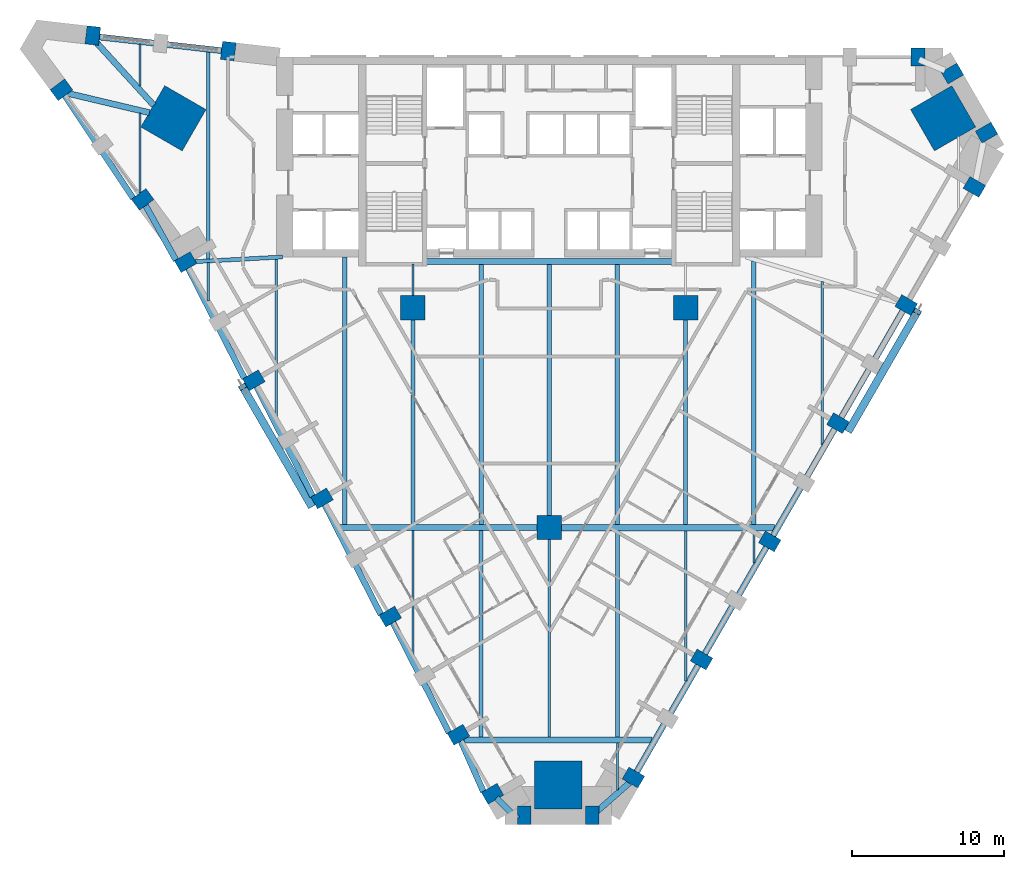
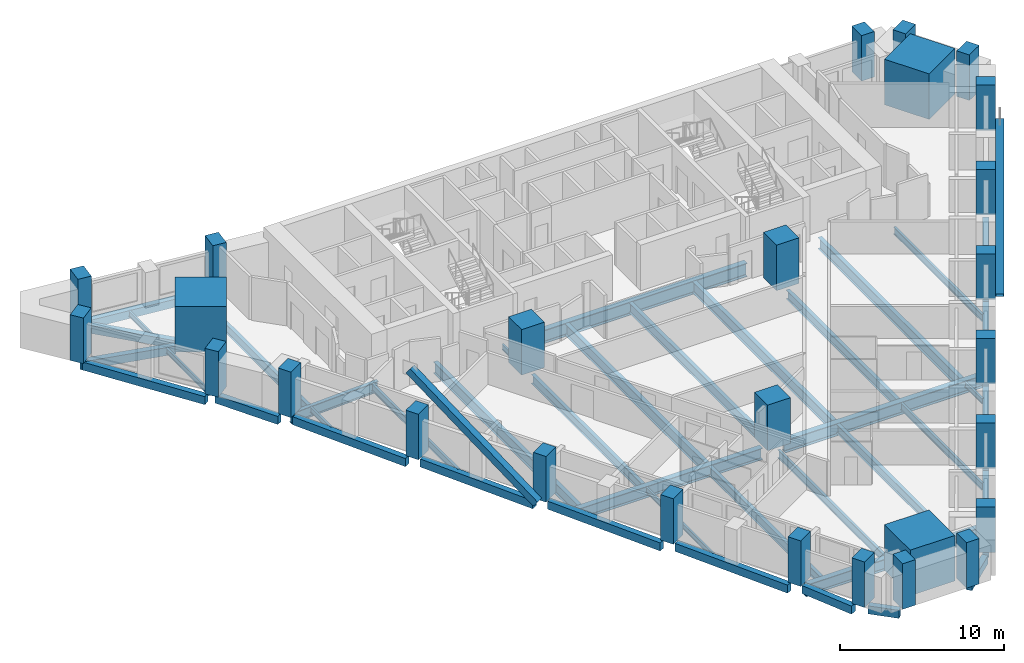
# One storey, part 1 of 10: 42 beams, 27 columns, 2 members.
"""IFC4 building model written with IfcOpenShell, lengths in metres."""

from ifc_helpers import new_model, si_unit, direction, frame, origin, origin_2d, place, context, subcontext, project, spatial, rectangle, hollow_rectangle, i_section, extrude, material, material_profile, profile_set, type_object, element, save


model = new_model("IFC4")

# Units and contexts
model_context = context("Model", 3, precision=1e-05, world=origin(), true_north=direction((0.0, 1.0)))
body_context = subcontext(model_context, "Body", "Model", "MODEL_VIEW")
ifc_project = project(units=[si_unit("LENGTHUNIT", "METRE"), si_unit("AREAUNIT", "SQUARE_METRE"), si_unit("VOLUMEUNIT", "CUBIC_METRE"), si_unit("PLANEANGLEUNIT", "RADIAN"), si_unit("MASSUNIT", "GRAM", prefix="KILO")], contexts=[model_context])

# Site, building, storey
site_placement = place(None, origin())
site = spatial("IfcSite", under=ifc_project, at=site_placement, CompositionType="ELEMENT")
building_placement = place(site_placement, origin())
building = spatial("IfcBuilding", under=site, at=building_placement, Name="Calabash Gate Tower", CompositionType="ELEMENT")
storey_placement = place(building_placement, frame((0.0, 0.0, 66.39990234375)))
storey = spatial("IfcBuildingStorey", under=building, at=storey_placement, Name="L12", CompositionType="ELEMENT", Elevation=66.39990234375)

# Columns
ifc_material_1 = material(Name="Concrete C80/95", Category="concrete")
ifc_material_profile_1 = material_profile(ifc_material_1, rectangle(XDim=1.60009765625, YDim=1.60009765625, at=origin_2d()))
ifc_profile_set_1 = profile_set([ifc_material_profile_1], Name="Concrete C80/95")
column_type_1 = type_object("IfcColumnType", Name="Interior column RC 1600x1600 Concrete C80/95", PredefinedType="COLUMN", material=ifc_profile_set_1)
for number, where, z_axis, x_axis, name in (
    (1, (-9.0, 2.5, 0.0), (0.0, 0.0, 1.0), (1.0, 0.0, 0.0), "Interior column L12 I0"),
    (2, (9.0, 2.5, 0.0), (0.0, 0.0, 1.0), (1.0, 0.0, 0.0), "Interior column L12 I1"),
    (3, (0.0, -12.0, 0.0), (0.0, 0.0, 1.0), (1.0, 0.0, 0.0), "Interior column L12 I2"),
):
    element("IfcColumn", number, at=place(storey_placement, frame(where, z_axis=z_axis, x_axis=x_axis)), inside=storey, type_object=column_type_1, Name=name, PredefinedType="COLUMN", context=body_context, shape_type="SweptSolid", body=[
        extrude(rectangle(XDim=1.60009765625, YDim=1.60009765625, at=origin_2d()), origin(), (0.0, 0.0, 1.0), 3.400146484375),
    ])
ifc_material_2 = material(Name="Concrete C80/95", Category="concrete")
ifc_material_profile_2 = material_profile(ifc_material_2, rectangle(XDim=3.14990234375, YDim=3.14990234375, at=origin_2d()))
ifc_profile_set_2 = profile_set([ifc_material_profile_2], Name="Concrete C80/95")
column_type_2 = type_object("IfcColumnType", Name="Mega column RC 3150x3150 Concrete C80/95", PredefinedType="COLUMN", material=ifc_profile_set_2)
for number, where, z_axis, x_axis, name in (
    (4, (-24.79296875, 15.00390625, 0.0), (0.0, 0.0, 1.0), (0.866025412511, -0.499999984885, 0.0), "Mega column L12 NW"),
    (5, (25.988037109375, 15.00390625, 0.0), (0.0, 0.0, 1.0), (-0.866025412511, -0.499999984885, 0.0), "Mega column L12 NE"),
    (6, (0.596923828125, -28.972900390625, 0.0), (0.0, 0.0, 1.0), (0.0, 1.0, 0.0), "Mega column L12 S"),
):
    element("IfcColumn", number, at=place(storey_placement, frame(where, z_axis=z_axis, x_axis=x_axis)), inside=storey, type_object=column_type_2, Name=name, PredefinedType="COLUMN", context=body_context, shape_type="SweptSolid", body=[
        extrude(rectangle(XDim=3.14990234375, YDim=3.14990234375, at=origin_2d()), origin(), (0.0, 0.0, 1.0), 3.400146484375),
    ])
ifc_material_3 = material(Name="Concrete C70/85", Category="concrete")
ifc_material_profile_3 = material_profile(ifc_material_3, rectangle(XDim=0.89990234375, YDim=1.199951171875, at=origin_2d()))
ifc_profile_set_3 = profile_set([ifc_material_profile_3], Name="Concrete C70/85")
column_type_3 = type_object("IfcColumnType", Name="Perimeter column RC 900x1200 Concrete C70/85", PredefinedType="COLUMN", material=ifc_profile_set_3)
for number, where, z_axis, x_axis, name in (
    (7, (-23.989013671875, 5.512939453125, 0.0), (0.0, 0.0, 1.0), (0.5, -0.866025403784, 0.0), "Perimeter column L12 P00"),
    (8, (-19.489013671875, -2.281982421875, 0.0), (0.0, 0.0, 1.0), (0.5, -0.866025403784, 0.0), "Perimeter column L12 P01"),
    (9, (-14.989013671875, -10.075927734375, 0.0), (0.0, 0.0, 1.0), (0.5, -0.866025403784, 0.0), "Perimeter column L12 P02"),
    (10, (-10.489013671875, -17.8701171875, 0.0), (0.0, 0.0, 1.0), (0.5, -0.866025403784, 0.0), "Perimeter column L12 P03"),
    (11, (-5.989013671875, -25.6640625, 0.0), (0.0, 0.0, 1.0), (0.5, -0.866025403784, 0.0), "Perimeter column L12 P04"),
    (12, (-3.739013671875, -29.56103515625, 0.0), (0.0, 0.0, 1.0), (0.5, -0.866025403784, 0.0), "Perimeter column L12 P05"),
    (13, (-1.653076171875, -30.97705078125, 0.0), (0.0, 0.0, 1.0), (1.0, 0.0, 0.0), "Perimeter column L12 P06"),
    (14, (2.846923828125, -30.97705078125, 0.0), (0.0, 0.0, 1.0), (1.0, 0.0, 0.0), "Perimeter column L12 P07"),
    (15, (5.548095703125, -28.492919921875, 0.0), (0.0, 0.0, 1.0), (0.5, 0.866025403784, 0.0), "Perimeter column L12 P08"),
    (16, (10.048095703125, -20.700927734375, 0.0), (0.0, 0.0, 1.0), (0.5, 0.866025403784, 0.0), "Perimeter column L12 P09"),
    (17, (14.548095703125, -12.906982421875, 0.0), (0.0, 0.0, 1.0), (0.5, 0.866025403784, 0.0), "Perimeter column L12 P10"),
    (18, (19.048095703125, -5.112060546875, 0.0), (0.0, 0.0, 1.0), (0.5, 0.866025403784, 0.0), "Perimeter column L12 P11"),
    (19, (23.548095703125, 2.681884765625, 0.0), (0.0, 0.0, 1.0), (0.5, 0.866025403784, 0.0), "Perimeter column L12 P12"),
    (20, (28.048095703125, 10.47607421875, 0.0), (0.0, 0.0, 1.0), (0.5, 0.866025403784, 0.0), "Perimeter column L12 P13"),
    (21, (28.846923828125, 14.056884765625, 0.0), (0.0, 0.0, 1.0), (-0.5, 0.866025403784, 0.0), "Perimeter column L12 P14"),
    (22, (26.596923828125, 17.9541015625, 0.0), (0.0, 0.0, 1.0), (-0.5, 0.866025403784, 0.0), "Perimeter column L12 P15"),
    (23, (24.327880859375, 19.052978515625, 0.0), (0.0, 0.0, 1.0), (-1.0, 0.0, 0.0), "Perimeter column L12 P16"),
    (24, (-21.174072265625, 19.43798828125, 0.0), (0.0, 0.0, 1.0), (-0.993506319736, 0.113776942504, 0.0), "Perimeter column L12 P17"),
    (25, (-30.113037109375, 20.4619140625, 0.0), (0.0, 0.0, 1.0), (-0.993506319736, 0.113776942504, 0.0), "Perimeter column L12 P18"),
    (26, (-32.181884765625, 16.883056640625, 0.0), (0.0, 0.0, 1.0), (0.595286896465, -0.80351323007, 0.0), "Perimeter column L12 P19"),
    (27, (-26.823974609375, 9.65087890625, 0.0), (0.0, 0.0, 1.0), (0.595286896465, -0.80351323007, 0.0), "Perimeter column L12 P20"),
):
    element("IfcColumn", number, at=place(storey_placement, frame(where, z_axis=z_axis, x_axis=x_axis)), inside=storey, type_object=column_type_3, Name=name, PredefinedType="COLUMN", context=body_context, shape_type="SweptSolid", body=[
        extrude(rectangle(XDim=0.89990234375, YDim=1.199951171875, at=origin_2d()), origin(), (0.0, 0.0, 1.0), 3.400146484375),
    ])

# Beams
ifc_material_4 = material(Name="Concrete C60/75", Category="concrete")
ifc_material_profile_4 = material_profile(ifc_material_4, rectangle(XDim=0.39990234375, YDim=0.60009765625, at=origin_2d()))
ifc_profile_set_4 = profile_set([ifc_material_profile_4], Name="Concrete C60/75")
beam_type_1 = type_object("IfcBeamType", Name="Edge beam RC 400x600 Concrete C60/75", PredefinedType="BEAM", material=ifc_profile_set_4)
for number, where, z_axis, x_axis, name in (
    (28, (-19.343994140625, -2.623046875, -0.469970703125), (0.454454932148, -0.890769731551, 0.0), (0.890769731551, 0.454454932148, 0.0), "Edge beam L12 1"),
    (29, (-14.843994140625, -10.4169921875, -0.469970703125), (0.454454932148, -0.890769731551, 0.0), (0.890769731551, 0.454454932148, 0.0), "Edge beam L12 2"),
    (30, (-10.343994140625, -18.2109375, -0.469970703125), (0.454454932148, -0.890769731551, 0.0), (0.890769731551, 0.454454932148, 0.0), "Edge beam L12 3"),
):
    element("IfcBeam", number, at=place(storey_placement, frame(where, z_axis=z_axis, x_axis=x_axis)), inside=storey, type_object=beam_type_1, Name=name, PredefinedType="BEAM", context=body_context, shape_type="SweptSolid", body=[
        extrude(rectangle(XDim=0.39990234375, YDim=0.60009765625, at=origin_2d()), origin(), (0.0, 0.0, 1.0), 8.209716796875),
    ])
beam_1_placement = place(storey_placement, frame((-5.863037109375, -26.007080078125, -0.469970703125), z_axis=(0.406538543594, -0.913633631481, 0.0), x_axis=(0.913633631481, 0.406538543594, 0.0)))
element("IfcBeam", 31, at=beam_1_placement, inside=storey, type_object=beam_type_1, Name="Edge beam L12 4", PredefinedType="BEAM", context=body_context, shape_type="SweptSolid", body=[
    extrude(rectangle(XDim=0.39990234375, YDim=0.60009765625, at=origin_2d()), origin(), (0.0, 0.0, 1.0), 3.736572265625),
])
beam_2_placement = place(storey_placement, frame((-3.486083984375, -29.843017578125, -0.469970703125), z_axis=(0.714518251106, -0.699616801425, 0.0), x_axis=(0.699616801425, 0.714518251106, 0.0)))
element("IfcBeam", 32, at=beam_2_placement, inside=storey, type_object=beam_type_1, Name="Edge beam L12 5", PredefinedType="BEAM", context=body_context, shape_type="SweptSolid", body=[
    extrude(rectangle(XDim=0.39990234375, YDim=0.60009765625, at=origin_2d()), origin(), (0.0, 0.0, 1.0), 1.94970703125),
])
beam_3_placement = place(storey_placement, frame((2.97900390625, -30.867919921875, -0.469970703125), z_axis=(0.751719002131, 0.659483541747, 0.0), x_axis=(-0.659483541747, 0.751719002131, 0.0)))
element("IfcBeam", 33, at=beam_3_placement, inside=storey, type_object=beam_type_1, Name="Edge beam L12 6", PredefinedType="BEAM", context=body_context, shape_type="SweptSolid", body=[
    extrude(rectangle(XDim=0.39990234375, YDim=0.60009765625, at=origin_2d()), origin(), (0.0, 0.0, 1.0), 3.070556640625),
])
beam_4_placement = place(storey_placement, frame((5.616943359375, -28.3759765625, -0.469970703125), z_axis=(0.500025102917, 0.866010910123, 0.0), x_axis=(-0.866010910123, 0.500025102917, 0.0)))
element("IfcBeam", 34, at=beam_4_placement, inside=storey, type_object=beam_type_1, Name="Edge beam L12 7", PredefinedType="BEAM", context=body_context, shape_type="SweptSolid", body=[
    extrude(rectangle(XDim=0.39990234375, YDim=0.60009765625, at=origin_2d()), origin(), (0.0, 0.0, 1.0), 8.42578125),
])
beam_5_placement = place(storey_placement, frame((10.116943359375, -20.5810546875, -0.469970703125), z_axis=(0.499962374219, 0.86604712595, 0.0), x_axis=(-0.86604712595, 0.499962374219, 0.0)))
element("IfcBeam", 35, at=beam_5_placement, inside=storey, type_object=beam_type_1, Name="Edge beam L12 8", PredefinedType="BEAM", context=body_context, shape_type="SweptSolid", body=[
    extrude(rectangle(XDim=0.39990234375, YDim=0.60009765625, at=origin_2d()), origin(), (0.0, 0.0, 1.0), 8.427001953125),
])
beam_6_placement = place(storey_placement, frame((14.616943359375, -12.787109375, -0.469970703125), z_axis=(0.500012556128, 0.866018154379, 0.0), x_axis=(-0.866018154379, 0.500012556128, 0.0)))
element("IfcBeam", 36, at=beam_6_placement, inside=storey, type_object=beam_type_1, Name="Edge beam L12 9", PredefinedType="BEAM", context=body_context, shape_type="SweptSolid", body=[
    extrude(rectangle(XDim=0.39990234375, YDim=0.60009765625, at=origin_2d()), origin(), (0.0, 0.0, 1.0), 8.426025390625),
])
beam_7_placement = place(storey_placement, frame((19.116943359375, -4.992919921875, -0.469970703125), z_axis=(0.500025102917, 0.866010910123, 0.0), x_axis=(-0.866010910123, 0.500025102917, 0.0)))
element("IfcBeam", 37, at=beam_7_placement, inside=storey, type_object=beam_type_1, Name="Edge beam L12 10", PredefinedType="BEAM", context=body_context, shape_type="SweptSolid", body=[
    extrude(rectangle(XDim=0.39990234375, YDim=0.60009765625, at=origin_2d()), origin(), (0.0, 0.0, 1.0), 8.42578125),
])
beam_8_placement = place(storey_placement, frame((-21.60400390625, 19.466064453125, -0.469970703125), z_axis=(-0.99383590534, 0.110861144034, 0.0), x_axis=(-0.110861144034, -0.99383590534, 0.0)))
element("IfcBeam", 38, at=beam_8_placement, inside=storey, type_object=beam_type_1, Name="Edge beam L12 14", PredefinedType="BEAM", context=body_context, shape_type="SweptSolid", body=[
    extrude(rectangle(XDim=0.39990234375, YDim=0.60009765625, at=origin_2d()), origin(), (0.0, 0.0, 1.0), 8.731689453125),
])
beam_9_placement = place(storey_placement, frame((-30.27392578125, 20.43994140625, -0.469970703125), z_axis=(0.674455005986, -0.738315951947, 0.0), x_axis=(0.738315951947, 0.674455005986, 0.0)))
element("IfcBeam", 39, at=beam_9_placement, inside=storey, type_object=beam_type_1, Name="Edge beam L12 15", PredefinedType="BEAM", context=body_context, shape_type="SweptSolid", body=[
    extrude(rectangle(XDim=0.39990234375, YDim=0.60009765625, at=origin_2d()), origin(), (0.0, 0.0, 1.0), 6.204833984375),
])
beam_10_placement = place(storey_placement, frame((-26.37890625, 15.37109375, -0.469970703125), z_axis=(-0.972965084641, 0.230952254956, 0.0), x_axis=(-0.230952254956, -0.972965084641, 0.0)))
element("IfcBeam", 40, at=beam_10_placement, inside=storey, type_object=beam_type_1, Name="Edge beam L12 16", PredefinedType="BEAM", context=body_context, shape_type="SweptSolid", body=[
    extrude(rectangle(XDim=0.39990234375, YDim=0.60009765625, at=origin_2d()), origin(), (0.0, 0.0, 1.0), 6.009521484375),
])
beam_11_placement = place(storey_placement, frame((-32.1640625, 16.81103515625, -0.469970703125), z_axis=(0.554673741128, -0.832067930462, 0.0), x_axis=(0.832067930462, 0.554673741128, 0.0)))
element("IfcBeam", 41, at=beam_11_placement, inside=storey, type_object=beam_type_1, Name="Edge beam L12 17", PredefinedType="BEAM", context=body_context, shape_type="SweptSolid", body=[
    extrude(rectangle(XDim=0.39990234375, YDim=0.60009765625, at=origin_2d()), origin(), (0.0, 0.0, 1.0), 8.518798828125),
])
beam_12_placement = place(storey_placement, frame((-26.805908203125, 9.56396484375, -0.469970703125), z_axis=(0.486202249372, -0.873846309545, 0.0), x_axis=(0.873846309545, 0.486202249372, 0.0)))
element("IfcBeam", 42, at=beam_12_placement, inside=storey, type_object=beam_type_1, Name="Edge beam L12 18", PredefinedType="BEAM", context=body_context, shape_type="SweptSolid", body=[
    extrude(rectangle(XDim=0.39990234375, YDim=0.60009765625, at=origin_2d()), origin(), (0.0, 0.0, 1.0), 4.483642578125),
])
beam_13_placement = place(storey_placement, frame((-23.843994140625, 5.1708984375, -0.469970703125), z_axis=(0.454454932148, -0.890769731551, 0.0), x_axis=(0.890769731551, 0.454454932148, 0.0)))
element("IfcBeam", 43, at=beam_13_placement, inside=storey, type_object=beam_type_1, Name="Edge beam L12 19", PredefinedType="BEAM", context=body_context, shape_type="SweptSolid", body=[
    extrude(rectangle(XDim=0.39990234375, YDim=0.60009765625, at=origin_2d()), origin(), (0.0, 0.0, 1.0), 8.209716796875),
])
ifc_material_5 = material(Name="Steel ASTM A992 Gr50", Category="steel")
ifc_material_profile_5 = material_profile(ifc_material_5, i_section(OverallWidth=0.1396484375, OverallDepth=0.398681640625, WebThickness=0.00634765625, FlangeThickness=0.0087890625, FilletRadius=0.01025390625, at=origin_2d()))
ifc_profile_set_5 = profile_set([ifc_material_profile_5], Name="Steel ASTM A992 Gr50")
beam_type_2 = type_object("IfcBeamType", Name="Floor beam W16x26 ASTM A992 Gr50", PredefinedType="BEAM", material=ifc_profile_set_5)
beam_14_placement = place(storey_placement, frame((-27.0, 10.069091796875, -0.368896484375), z_axis=(0.0, 1.0, 0.0), x_axis=(-1.0, 0.0, 0.0)))
element("IfcBeam", 44, at=beam_14_placement, inside=storey, type_object=beam_type_2, Name="Floor beam L12 1", PredefinedType="BEAM", context=body_context, shape_type="SweptSolid", body=[
    extrude(i_section(OverallWidth=0.1396484375, OverallDepth=0.398681640625, WebThickness=0.00634765625, FlangeThickness=0.0087890625, FilletRadius=0.01025390625, at=origin_2d()), origin(), (0.0, 0.0, 1.0), 5.267822265625),
])
beam_15_placement = place(storey_placement, frame((-27.0, 17.14111328125, -0.368896484375), z_axis=(0.0, 1.0, 0.0), x_axis=(-1.0, 0.0, 0.0)))
element("IfcBeam", 45, at=beam_15_placement, inside=storey, type_object=beam_type_2, Name="Floor beam L12 2", PredefinedType="BEAM", context=body_context, shape_type="SweptSolid", body=[
    extrude(i_section(OverallWidth=0.1396484375, OverallDepth=0.398681640625, WebThickness=0.00634765625, FlangeThickness=0.0087890625, FilletRadius=0.01025390625, at=origin_2d()), origin(), (0.0, 0.0, 1.0), 2.755859375),
])
beam_16_placement = place(storey_placement, frame((-22.5, 2.9609375, -0.368896484375), z_axis=(0.0, 1.0, 0.0), x_axis=(-1.0, 0.0, 0.0)))
element("IfcBeam", 46, at=beam_16_placement, inside=storey, type_object=beam_type_2, Name="Floor beam L12 3", PredefinedType="BEAM", context=body_context, shape_type="SweptSolid", body=[
    extrude(i_section(OverallWidth=0.1396484375, OverallDepth=0.398681640625, WebThickness=0.00634765625, FlangeThickness=0.0087890625, FilletRadius=0.01025390625, at=origin_2d()), origin(), (0.0, 0.0, 1.0), 2.52001953125),
])
beam_17_placement = place(storey_placement, frame((-9.0, -20.422119140625, -0.368896484375), z_axis=(0.0, 1.0, 0.0), x_axis=(-1.0, 0.0, 0.0)))
element("IfcBeam", 47, at=beam_17_placement, inside=storey, type_object=beam_type_2, Name="Floor beam L12 7", PredefinedType="BEAM", context=body_context, shape_type="SweptSolid", body=[
    extrude(i_section(OverallWidth=0.1396484375, OverallDepth=0.398681640625, WebThickness=0.00634765625, FlangeThickness=0.0087890625, FilletRadius=0.01025390625, at=origin_2d()), origin(), (0.0, 0.0, 1.0), 8.22314453125),
])
beam_18_placement = place(storey_placement, frame((-9.0, 3.300048828125, -0.368896484375), z_axis=(0.0, 1.0, 0.0), x_axis=(-1.0, 0.0, 0.0)))
element("IfcBeam", 48, at=beam_18_placement, inside=storey, type_object=beam_type_2, Name="Floor beam L12 9", PredefinedType="BEAM", context=body_context, shape_type="SweptSolid", body=[
    extrude(i_section(OverallWidth=0.1396484375, OverallDepth=0.398681640625, WebThickness=0.00634765625, FlangeThickness=0.0087890625, FilletRadius=0.01025390625, at=origin_2d()), origin(), (0.0, 0.0, 1.0), 2.10302734375),
])
beam_19_placement = place(storey_placement, frame((4.5, -29.301025390625, -0.368896484375), z_axis=(0.0, 1.0, 0.0), x_axis=(-1.0, 0.0, 0.0)))
element("IfcBeam", 49, at=beam_19_placement, inside=storey, type_object=beam_type_2, Name="Floor beam L12 14", PredefinedType="BEAM", context=body_context, shape_type="SweptSolid", body=[
    extrude(i_section(OverallWidth=0.1396484375, OverallDepth=0.398681640625, WebThickness=0.00634765625, FlangeThickness=0.0087890625, FilletRadius=0.01025390625, at=origin_2d()), origin(), (0.0, 0.0, 1.0), 3.10205078125),
])
beam_20_placement = place(storey_placement, frame((13.5, -14.333984375, -0.368896484375), z_axis=(0.0, 1.0, 0.0), x_axis=(-1.0, 0.0, 0.0)))
element("IfcBeam", 50, at=beam_20_placement, inside=storey, type_object=beam_type_2, Name="Floor beam L12 20", PredefinedType="BEAM", context=body_context, shape_type="SweptSolid", body=[
    extrude(i_section(OverallWidth=0.1396484375, OverallDepth=0.398681640625, WebThickness=0.00634765625, FlangeThickness=0.0087890625, FilletRadius=0.01025390625, at=origin_2d()), origin(), (0.0, 0.0, 1.0), 2.1240234375),
])
ifc_material_6 = material(Name="Steel ASTM A992 Gr50", Category="steel")
ifc_material_profile_6 = material_profile(ifc_material_6, i_section(OverallWidth=0.166015625, OverallDepth=0.5283203125, WebThickness=0.009765625, FlangeThickness=0.013671875, FilletRadius=0.0126953125, at=origin_2d()))
ifc_profile_set_6 = profile_set([ifc_material_profile_6], Name="Steel ASTM A992 Gr50")
beam_type_3 = type_object("IfcBeamType", Name="Floor beam W21x50 ASTM A992 Gr50", PredefinedType="BEAM", material=ifc_profile_set_6)
beam_21_placement = place(storey_placement, frame((-18.0, -4.8330078125, -0.433837890625), z_axis=(0.0, 1.0, 0.0), x_axis=(-1.0, 0.0, 0.0)))
element("IfcBeam", 51, at=beam_21_placement, inside=storey, type_object=beam_type_3, Name="Floor beam L12 5", PredefinedType="BEAM", context=body_context, shape_type="SweptSolid", body=[
    extrude(i_section(OverallWidth=0.166015625, OverallDepth=0.5283203125, WebThickness=0.009765625, FlangeThickness=0.013671875, FilletRadius=0.0126953125, at=origin_2d()), origin(), (0.0, 0.0, 1.0), 10.553955078125),
])
beam_22_placement = place(storey_placement, frame((9.0, -22.12890625, -0.433837890625), z_axis=(0.0, 1.0, 0.0), x_axis=(-1.0, 0.0, 0.0)))
element("IfcBeam", 52, at=beam_22_placement, inside=storey, type_object=beam_type_3, Name="Floor beam L12 17", PredefinedType="BEAM", context=body_context, shape_type="SweptSolid", body=[
    extrude(i_section(OverallWidth=0.166015625, OverallDepth=0.5283203125, WebThickness=0.009765625, FlangeThickness=0.013671875, FilletRadius=0.0126953125, at=origin_2d()), origin(), (0.0, 0.0, 1.0), 9.9189453125),
])
beam_23_placement = place(storey_placement, frame((18.0, -6.5400390625, -0.433837890625), z_axis=(0.0, 1.0, 0.0), x_axis=(-1.0, 0.0, 0.0)))
element("IfcBeam", 53, at=beam_23_placement, inside=storey, type_object=beam_type_3, Name="Floor beam L12 22", PredefinedType="BEAM", context=body_context, shape_type="SweptSolid", body=[
    extrude(i_section(OverallWidth=0.166015625, OverallDepth=0.5283203125, WebThickness=0.009765625, FlangeThickness=0.013671875, FilletRadius=0.0126953125, at=origin_2d()), origin(), (0.0, 0.0, 1.0), 10.77197265625),
])
ifc_material_7 = material(Name="Steel ASTM A992 Gr50", Category="steel")
ifc_material_profile_7 = material_profile(ifc_material_7, i_section(OverallWidth=0.1787109375, OverallDepth=0.60205078125, WebThickness=0.010986328125, FlangeThickness=0.014892578125, FilletRadius=0.0126953125, at=origin_2d()))
ifc_profile_set_7 = profile_set([ifc_material_profile_7], Name="Steel ASTM A992 Gr50")
beam_type_4 = type_object("IfcBeamType", Name="Floor beam W24x62 ASTM A992 Gr50", PredefinedType="BEAM", material=ifc_profile_set_7)
beam_24_placement = place(storey_placement, frame((0.0, -25.801025390625, -0.470947265625), z_axis=(0.0, 1.0, 0.0), x_axis=(-1.0, 0.0, 0.0)))
element("IfcBeam", 54, at=beam_24_placement, inside=storey, type_object=beam_type_4, Name="Floor beam L12 12", PredefinedType="BEAM", context=body_context, shape_type="SweptSolid", body=[
    extrude(i_section(OverallWidth=0.1787109375, OverallDepth=0.60205078125, WebThickness=0.010986328125, FlangeThickness=0.014892578125, FilletRadius=0.0126953125, at=origin_2d()), origin(), (0.0, 0.0, 1.0), 13.0009765625),
])
ifc_material_8 = material(Name="Steel ASTM A992 Gr50", Category="steel")
ifc_material_profile_8 = material_profile(ifc_material_8, i_section(OverallWidth=0.25390625, OverallDepth=0.67822265625, WebThickness=0.01171875, FlangeThickness=0.016357421875, FilletRadius=0.01513671875, at=origin_2d()))
ifc_profile_set_8 = profile_set([ifc_material_profile_8], Name="Steel ASTM A992 Gr50")
beam_type_5 = type_object("IfcBeamType", Name="Floor beam W27x84 ASTM A992 Gr50", PredefinedType="BEAM", material=ifc_profile_set_8)
beam_25_placement = place(storey_placement, frame((-22.5, 5.7041015625, -0.5087890625), z_axis=(0.0, 1.0, 0.0), x_axis=(-1.0, 0.0, 0.0)))
element("IfcBeam", 55, at=beam_25_placement, inside=storey, type_object=beam_type_5, Name="Floor beam L12 4", PredefinedType="BEAM", context=body_context, shape_type="SweptSolid", body=[
    extrude(i_section(OverallWidth=0.25390625, OverallDepth=0.67822265625, WebThickness=0.01171875, FlangeThickness=0.016357421875, FilletRadius=0.01513671875, at=origin_2d()), origin(), (0.0, 0.0, 1.0), 13.6748046875),
])
beam_26_placement = place(storey_placement, frame((-9.0, -11.801025390625, -0.5087890625), z_axis=(0.0, 1.0, 0.0), x_axis=(-1.0, 0.0, 0.0)))
element("IfcBeam", 56, at=beam_26_placement, inside=storey, type_object=beam_type_5, Name="Floor beam L12 8", PredefinedType="BEAM", context=body_context, shape_type="SweptSolid", body=[
    extrude(i_section(OverallWidth=0.25390625, OverallDepth=0.67822265625, WebThickness=0.01171875, FlangeThickness=0.016357421875, FilletRadius=0.01513671875, at=origin_2d()), origin(), (0.0, 0.0, 1.0), 13.5009765625),
])
beam_27_placement = place(storey_placement, frame((-4.5, -25.801025390625, -0.5087890625), z_axis=(0.0, 1.0, 0.0), x_axis=(-1.0, 0.0, 0.0)))
element("IfcBeam", 57, at=beam_27_placement, inside=storey, type_object=beam_type_5, Name="Floor beam L12 10", PredefinedType="BEAM", context=body_context, shape_type="SweptSolid", body=[
    extrude(i_section(OverallWidth=0.25390625, OverallDepth=0.67822265625, WebThickness=0.01171875, FlangeThickness=0.016357421875, FilletRadius=0.01513671875, at=origin_2d()), origin(), (0.0, 0.0, 1.0), 13.60205078125),
])
beam_28_placement = place(storey_placement, frame((4.5, -25.801025390625, -0.5087890625), z_axis=(0.0, 1.0, 0.0), x_axis=(-1.0, 0.0, 0.0)))
element("IfcBeam", 58, at=beam_28_placement, inside=storey, type_object=beam_type_5, Name="Floor beam L12 15", PredefinedType="BEAM", context=body_context, shape_type="SweptSolid", body=[
    extrude(i_section(OverallWidth=0.25390625, OverallDepth=0.67822265625, WebThickness=0.01171875, FlangeThickness=0.016357421875, FilletRadius=0.01513671875, at=origin_2d()), origin(), (0.0, 0.0, 1.0), 13.591064453125),
])
beam_29_placement = place(storey_placement, frame((9.0, -11.7900390625, -0.5087890625), z_axis=(0.0, 1.0, 0.0), x_axis=(-1.0, 0.0, 0.0)))
element("IfcBeam", 59, at=beam_29_placement, inside=storey, type_object=beam_type_5, Name="Floor beam L12 18", PredefinedType="BEAM", context=body_context, shape_type="SweptSolid", body=[
    extrude(i_section(OverallWidth=0.25390625, OverallDepth=0.67822265625, WebThickness=0.01171875, FlangeThickness=0.016357421875, FilletRadius=0.01513671875, at=origin_2d()), origin(), (0.0, 0.0, 1.0), 13.489990234375),
])
ifc_material_9 = material(Name="Steel ASTM A992 Gr50", Category="steel")
ifc_material_profile_9 = material_profile(ifc_material_9, i_section(OverallWidth=0.2666015625, OverallDepth=0.7568359375, WebThickness=0.013916015625, FlangeThickness=0.019287109375, FilletRadius=0.0166015625, at=origin_2d()))
ifc_profile_set_9 = profile_set([ifc_material_profile_9], Name="Steel ASTM A992 Gr50")
beam_type_6 = type_object("IfcBeamType", Name="Floor beam W30x108 ASTM A992 Gr50", PredefinedType="BEAM", material=ifc_profile_set_9)
beam_30_placement = place(storey_placement, frame((0.0, -11.199951171875, -0.5478515625), z_axis=(0.0, 1.0, 0.0), x_axis=(-1.0, 0.0, 0.0)))
element("IfcBeam", 60, at=beam_30_placement, inside=storey, type_object=beam_type_6, Name="Floor beam L12 13", PredefinedType="BEAM", context=body_context, shape_type="SweptSolid", body=[
    extrude(i_section(OverallWidth=0.2666015625, OverallDepth=0.7568359375, WebThickness=0.013916015625, FlangeThickness=0.019287109375, FilletRadius=0.0166015625, at=origin_2d()), origin(), (0.0, 0.0, 1.0), 16.552001953125),
])
ifc_material_10 = material(Name="Steel ASTM A992 Gr50", Category="steel")
ifc_material_profile_10 = material_profile(ifc_material_10, i_section(OverallWidth=0.2919921875, OverallDepth=0.845703125, WebThickness=0.015380859375, FlangeThickness=0.0244140625, FilletRadius=0.017822265625, at=origin_2d()))
ifc_profile_set_10 = profile_set([ifc_material_profile_10], Name="Steel ASTM A992 Gr50")
beam_type_7 = type_object("IfcBeamType", Name="Floor beam W33x141 ASTM A992 Gr50", PredefinedType="BEAM", material=ifc_profile_set_10)
beam_31_placement = place(storey_placement, frame((-13.5, -11.801025390625, -0.593017578125), z_axis=(0.0, 1.0, 0.0), x_axis=(-1.0, 0.0, 0.0)))
element("IfcBeam", 61, at=beam_31_placement, inside=storey, type_object=beam_type_7, Name="Floor beam L12 6", PredefinedType="BEAM", context=body_context, shape_type="SweptSolid", body=[
    extrude(i_section(OverallWidth=0.2919921875, OverallDepth=0.845703125, WebThickness=0.015380859375, FlangeThickness=0.0244140625, FilletRadius=0.017822265625, at=origin_2d()), origin(), (0.0, 0.0, 1.0), 17.654052734375),
])
beam_32_placement = place(storey_placement, frame((-4.5, -11.801025390625, -0.593017578125), z_axis=(0.0, 1.0, 0.0), x_axis=(-1.0, 0.0, 0.0)))
element("IfcBeam", 62, at=beam_32_placement, inside=storey, type_object=beam_type_7, Name="Floor beam L12 11", PredefinedType="BEAM", context=body_context, shape_type="SweptSolid", body=[
    extrude(i_section(OverallWidth=0.2919921875, OverallDepth=0.845703125, WebThickness=0.015380859375, FlangeThickness=0.0244140625, FilletRadius=0.017822265625, at=origin_2d()), origin(), (0.0, 0.0, 1.0), 17.153076171875),
])
beam_33_placement = place(storey_placement, frame((4.5, -11.7900390625, -0.593017578125), z_axis=(0.0, 1.0, 0.0), x_axis=(-1.0, 0.0, 0.0)))
element("IfcBeam", 63, at=beam_33_placement, inside=storey, type_object=beam_type_7, Name="Floor beam L12 16", PredefinedType="BEAM", context=body_context, shape_type="SweptSolid", body=[
    extrude(i_section(OverallWidth=0.2919921875, OverallDepth=0.845703125, WebThickness=0.015380859375, FlangeThickness=0.0244140625, FilletRadius=0.017822265625, at=origin_2d()), origin(), (0.0, 0.0, 1.0), 17.14208984375),
])
beam_34_placement = place(storey_placement, frame((13.5, -11.7900390625, -0.593017578125), z_axis=(0.0, 1.0, 0.0), x_axis=(-1.0, 0.0, 0.0)))
element("IfcBeam", 64, at=beam_34_placement, inside=storey, type_object=beam_type_7, Name="Floor beam L12 21", PredefinedType="BEAM", context=body_context, shape_type="SweptSolid", body=[
    extrude(i_section(OverallWidth=0.2919921875, OverallDepth=0.845703125, WebThickness=0.015380859375, FlangeThickness=0.0244140625, FilletRadius=0.017822265625, at=origin_2d()), origin(), (0.0, 0.0, 1.0), 17.3740234375),
])
ifc_material_11 = material(Name="Steel ASTM A992 Gr50", Category="steel")
ifc_material_profile_11 = material_profile(ifc_material_11, i_section(OverallWidth=0.2666015625, OverallDepth=0.77978515625, WebThickness=0.0166015625, FlangeThickness=0.030029296875, FilletRadius=0.0166015625, at=origin_2d()))
ifc_profile_set_11 = profile_set([ifc_material_profile_11], Name="Steel ASTM A992 Gr50")
beam_type_8 = type_object("IfcBeamType", Name="Girder W30x148 ASTM A992 Gr50", PredefinedType="BEAM", material=ifc_profile_set_11)
beam_35_placement = place(storey_placement, frame((-23.907958984375, 5.51708984375, -0.559814453125), z_axis=(0.998581570608, 0.053243279787, 0.0), x_axis=(-0.053243279787, 0.998581570608, 0.0)))
element("IfcBeam", 65, at=beam_35_placement, inside=storey, type_object=beam_type_8, Name="Girder L12 2", PredefinedType="BEAM", context=body_context, shape_type="SweptSolid", body=[
    extrude(i_section(OverallWidth=0.2666015625, OverallDepth=0.77978515625, WebThickness=0.0166015625, FlangeThickness=0.030029296875, FilletRadius=0.0166015625, at=origin_2d()), origin(), (0.0, 0.0, 1.0), 6.327880859375),
])
ifc_material_12 = material(Name="Steel ASTM A992 Gr50", Category="steel")
ifc_material_profile_12 = material_profile(ifc_material_12, i_section(OverallWidth=0.398681640625, OverallDepth=0.85595703125, WebThickness=0.018310546875, FlangeThickness=0.029296875, FilletRadius=0.02001953125, at=origin_2d()))
ifc_profile_set_12 = profile_set([ifc_material_profile_12], Name="Steel ASTM A992 Gr50")
beam_type_9 = type_object("IfcBeamType", Name="Girder W33x201 ASTM A992 Gr50", PredefinedType="BEAM", material=ifc_profile_set_12)
beam_36_placement = place(storey_placement, frame((-13.8291015625, -12.0, -0.597900390625), z_axis=(1.0, 0.0, 0.0), x_axis=(0.0, 1.0, 0.0)))
element("IfcBeam", 66, at=beam_36_placement, inside=storey, type_object=beam_type_9, Name="Girder L12 4", PredefinedType="BEAM", context=body_context, shape_type="SweptSolid", body=[
    extrude(i_section(OverallWidth=0.398681640625, OverallDepth=0.85595703125, WebThickness=0.018310546875, FlangeThickness=0.029296875, FilletRadius=0.02001953125, at=origin_2d()), origin(), (0.0, 0.0, 1.0), 13.029052734375),
])
beam_37_placement = place(storey_placement, frame((-5.81591796875, -26.0, -0.597900390625), z_axis=(1.0, 0.0, 0.0), x_axis=(0.0, 1.0, 0.0)))
element("IfcBeam", 67, at=beam_37_placement, inside=storey, type_object=beam_type_9, Name="Girder L12 6", PredefinedType="BEAM", context=body_context, shape_type="SweptSolid", body=[
    extrude(i_section(OverallWidth=0.398681640625, OverallDepth=0.85595703125, WebThickness=0.018310546875, FlangeThickness=0.029296875, FilletRadius=0.02001953125, at=origin_2d()), origin(), (0.0, 0.0, 1.0), 12.594970703125),
])
ifc_material_13 = material(Name="Steel ASTM A992 Gr50", Category="steel")
ifc_material_profile_13 = material_profile(ifc_material_13, i_section(OverallWidth=0.419189453125, OverallDepth=0.927001953125, WebThickness=0.019287109375, FlangeThickness=0.031982421875, FilletRadius=0.024169921875, at=origin_2d()))
ifc_profile_set_13 = profile_set([ifc_material_profile_13], Name="Steel ASTM A992 Gr50")
beam_type_10 = type_object("IfcBeamType", Name="Girder W36x231 ASTM A992 Gr50", PredefinedType="BEAM", material=ifc_profile_set_13)
beam_38_placement = place(storey_placement, frame((0.800048828125, -12.0, -0.6337890625), z_axis=(1.0, 0.0, 0.0), x_axis=(0.0, 1.0, 0.0)))
element("IfcBeam", 68, at=beam_38_placement, inside=storey, type_object=beam_type_10, Name="Girder L12 5", PredefinedType="BEAM", context=body_context, shape_type="SweptSolid", body=[
    extrude(i_section(OverallWidth=0.419189453125, OverallDepth=0.927001953125, WebThickness=0.019287109375, FlangeThickness=0.031982421875, FilletRadius=0.024169921875, at=origin_2d()), origin(), (0.0, 0.0, 1.0), 14.06201171875),
])
ifc_material_14 = material(Name="Steel ASTM A992 Gr50", Category="steel")
ifc_material_profile_14 = material_profile(ifc_material_14, i_section(OverallWidth=0.4013671875, OverallDepth=1.000732421875, WebThickness=0.01904296875, FlangeThickness=0.0361328125, FilletRadius=0.030029296875, at=origin_2d()))
ifc_profile_set_14 = profile_set([ifc_material_profile_14], Name="Steel ASTM A992 Gr50")
beam_type_11 = type_object("IfcBeamType", Name="Girder W40x249 ASTM A992 Gr50", PredefinedType="BEAM", material=ifc_profile_set_14)
beam_39_placement = place(storey_placement, frame((-8.25, 5.552978515625, -0.669921875), z_axis=(1.0, 0.0, 0.0), x_axis=(0.0, 1.0, 0.0)))
element("IfcBeam", 69, at=beam_39_placement, inside=storey, type_object=beam_type_11, Name="Girder L12 1", PredefinedType="BEAM", context=body_context, shape_type="SweptSolid", body=[
    extrude(i_section(OverallWidth=0.4013671875, OverallDepth=1.000732421875, WebThickness=0.01904296875, FlangeThickness=0.0361328125, FilletRadius=0.030029296875, at=origin_2d()), origin(), (0.0, 0.0, 1.0), 16.5),
])

# Members
ifc_material_15 = material(Name="Steel ASTM A500 Gr C", Category="steel")
ifc_material_profile_15 = material_profile(ifc_material_15, hollow_rectangle(XDim=0.508056640625, YDim=0.508056640625, WallThickness=0.01904296875, at=origin_2d()))
ifc_profile_set_15 = profile_set([ifc_material_profile_15], Name="Steel ASTM A500 Gr C")
member_type = type_object("IfcMemberType", Name="Mega-brace HSS20X20X.750 ASTM A500 Gr C", PredefinedType="BRACE", material=ifc_profile_set_15)
for number, where, z_axis, x_axis, name in (
    (70, (-15.72900390625, -10.5029296875, 0.0), (-0.39892761239, 0.690981062998, 0.602828276254), (-0.866031096941, -0.499990139034, 0.0), "Mega-brace SW Z1 4"),
    (71, (19.787841796875, -5.53955078125, 0.0), (0.39892761239, 0.690981062998, 0.602828276254), (-0.866031096941, 0.499990139034, 0.0), "Mega-brace SE Z1 9"),
):
    element("IfcMember", number, at=place(storey_placement, frame(where, z_axis=z_axis, x_axis=x_axis)), inside=storey, type_object=member_type, Name=name, PredefinedType="BRACE", context=body_context, shape_type="SweptSolid", body=[
        extrude(hollow_rectangle(XDim=0.508056640625, YDim=0.508056640625, WallThickness=0.01904296875, at=origin_2d()), origin(), (0.0, 0.0, 1.0), 11.2802734375),
    ])

save(model, "model.ifc")
